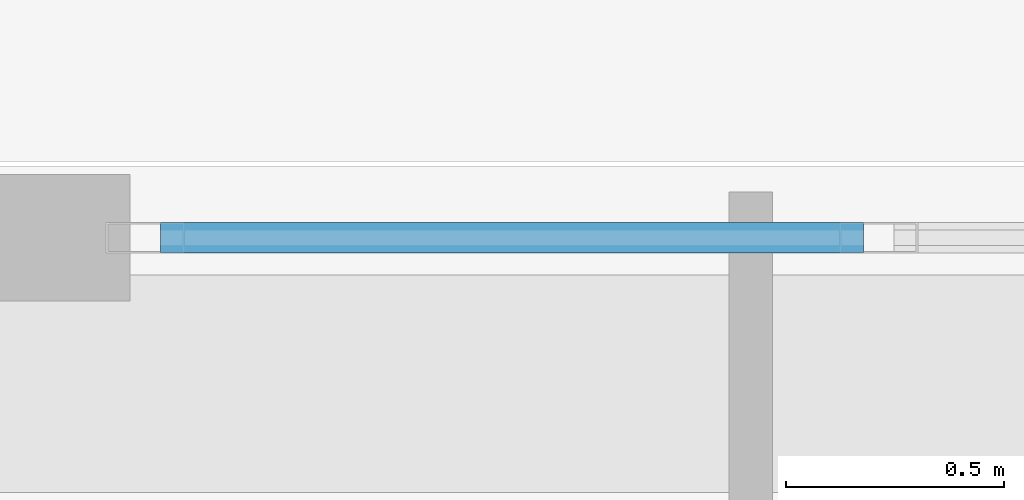
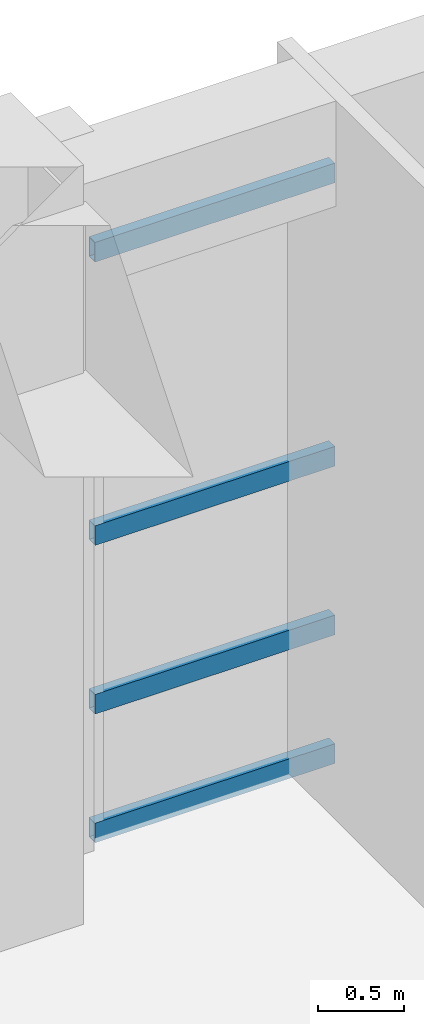
# One storey, part 94 of 148: 4 members, 1 element without a shape of its own.
"""IFC4 building model written with IfcOpenShell, lengths in metres."""

from ifc_helpers import new_model, si_unit, direction, frame, origin, origin_2d, place, context, subcontext, project, spatial, hollow_rectangle, extrude, material, layer, layer_set, material_profile, profile_set, type_object, element, aggregate, save


model = new_model("IFC4")

# Units and contexts
model_context = context("Model", 3, precision=1e-05, world=origin(), true_north=direction((0.0, 1.0)))
body_context = subcontext(model_context, "Body", "Model", "MODEL_VIEW")
ifc_project = project(units=[si_unit("LENGTHUNIT", "METRE"), si_unit("AREAUNIT", "SQUARE_METRE"), si_unit("VOLUMEUNIT", "CUBIC_METRE"), si_unit("PLANEANGLEUNIT", "RADIAN"), si_unit("MASSUNIT", "GRAM", prefix="KILO")], contexts=[model_context])

# Site, building, storey
site_placement = place(None, origin())
site = spatial("IfcSite", under=ifc_project, at=site_placement, CompositionType="ELEMENT")
building_placement = place(site_placement, origin())
building = spatial("IfcBuilding", under=site, at=building_placement, Name="Quendrovan Civic Courthouse", CompositionType="ELEMENT")
storey_placement = place(building_placement, origin())
storey = spatial("IfcBuildingStorey", under=building, at=storey_placement, Name="L01", CompositionType="ELEMENT", Elevation=0.0)

# Curtain wall, members
ifc_material_1 = material(Name="Bronze anodised aluminium and low-E glass", Category="aluminium")
ifc_layer = layer(ifc_material_1, 0.179931640625, Name="Bronze anodised aluminium and low-E glass")
ifc_layer_set = layer_set([ifc_layer], Name="Bronze anodised aluminium and low-E glass")
curtain_wall_type = type_object("IfcCurtainWallType", Name="CW-U69x42", PredefinedType="USERDEFINED", material=ifc_layer_set)
curtain_wall_placement = place(storey_placement, origin())
curtain_wall = element("IfcCurtainWall", 1, at=curtain_wall_placement, inside=storey, type_object=curtain_wall_type, Name="L01 Unitised Hurricane Curtain Wall CW-038", ObjectType="UNITISED CURTAIN WALL", PredefinedType="USERDEFINED")
ifc_material_2 = material(Name="Bronze anodised aluminium", Category="aluminium")
ifc_material_profile = material_profile(ifc_material_2, hollow_rectangle(XDim=0.070068359375, YDim=0.139892578125, WallThickness=0.00390625, at=origin_2d()), Name="CW-TRAN-70x140")
ifc_profile_set = profile_set([ifc_material_profile], Name="Bronze anodised aluminium")
member_type = type_object("IfcMemberType", Name="CW-TRAN-A", PredefinedType="USERDEFINED", material=ifc_profile_set)
member_1_placement = place(storey_placement, frame((126.844970703125, 110.235107421875, 0.034912109375), z_axis=(1.0, 0.0, 0.0), x_axis=(0.0, 1.0, 0.0)))
member_1 = element("IfcMember", 2, at=member_1_placement, type_object=member_type, Name="CW-038 transom 1.1", ObjectType="TRANSOM", PredefinedType="USERDEFINED", context=body_context, shape_type="SweptSolid", body=[
    extrude(hollow_rectangle(XDim=0.070068359375, YDim=0.139892578125, WallThickness=0.00390625, at=origin_2d()), origin(), (0.0, 0.0, 1.0), 1.61376953125),
])
member_2_placement = place(storey_placement, frame((126.844970703125, 110.235107421875, 0.949951171875), z_axis=(1.0, 0.0, 0.0), x_axis=(0.0, 1.0, 0.0)))
member_2 = element("IfcMember", 3, at=member_2_placement, type_object=member_type, Name="CW-038 transom 1.2", ObjectType="TRANSOM", PredefinedType="USERDEFINED", context=body_context, shape_type="SweptSolid", body=[
    extrude(hollow_rectangle(XDim=0.070068359375, YDim=0.139892578125, WallThickness=0.00390625, at=origin_2d()), origin(), (0.0, 0.0, 1.0), 1.61376953125),
])
member_3_placement = place(storey_placement, frame((126.844970703125, 110.235107421875, 2.14990234375), z_axis=(1.0, 0.0, 0.0), x_axis=(0.0, 1.0, 0.0)))
member_3 = element("IfcMember", 4, at=member_3_placement, type_object=member_type, Name="CW-038 transom 1.3", ObjectType="TRANSOM", PredefinedType="USERDEFINED", context=body_context, shape_type="SweptSolid", body=[
    extrude(hollow_rectangle(XDim=0.070068359375, YDim=0.139892578125, WallThickness=0.00390625, at=origin_2d()), origin(), (0.0, 0.0, 1.0), 1.61376953125),
])
member_4_placement = place(storey_placement, frame((126.844970703125, 110.235107421875, 4.1650390625), z_axis=(1.0, 0.0, 0.0), x_axis=(0.0, 1.0, 0.0)))
member_4 = element("IfcMember", 5, at=member_4_placement, type_object=member_type, Name="CW-038 transom 1.4", ObjectType="TRANSOM", PredefinedType="USERDEFINED", context=body_context, shape_type="SweptSolid", body=[
    extrude(hollow_rectangle(XDim=0.070068359375, YDim=0.139892578125, WallThickness=0.00390625, at=origin_2d()), origin(), (0.0, 0.0, 1.0), 1.61376953125),
])
aggregate(curtain_wall, [member_1, member_2, member_3, member_4])

save(model, "model.ifc")
